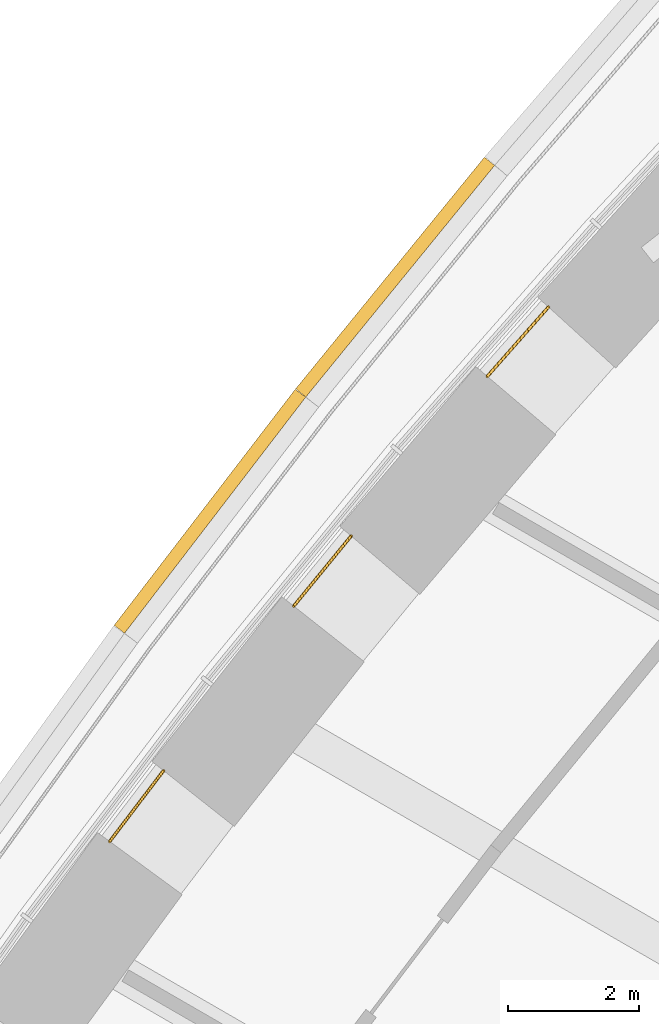
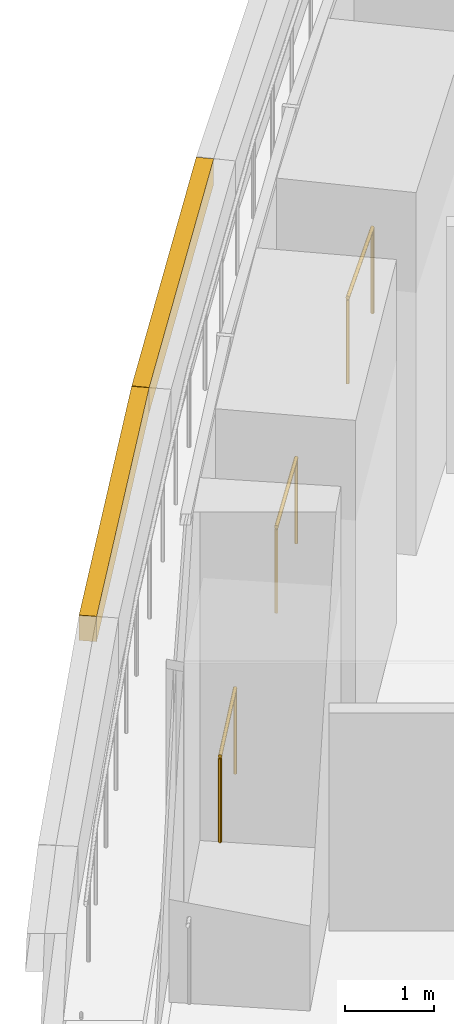
# One storey, part 21 of 33: 3 railings, 2 coverings.
"""IFC4 building model written with IfcOpenShell, lengths in metres."""

import ifcopenshell
import ifcopenshell.guid

model = None  # the IFC model being written
_history = None  # IfcOwnerHistory: only IFC2X3 demands one
_inside = {}  # id of a spatial element -> (the spatial element, [elements in it])
_under = {}  # id of a project, library or spatial element -> (it, [spatial elements below it])
_declared = {}  # id of a project -> (the project, [libraries it declares])
_typed = {}  # id of a type object -> (the type object, [elements of that type])
_made_of = {}  # id of a material, layer set ... -> (it, [elements and type objects made of it])


def new_model(schema):
    """Start an empty IFC model of exactly this schema.

    Asked for "IFC4X3", IfcOpenShell would pick the latest addendum, in which some entities
    have other attributes; the version numbers below select the first issue.
    IFC2X3 requires an IfcOwnerHistory on every rooted entity: one is made here for all.
    """
    global model, _history
    if schema == "IFC4X3":
        model = ifcopenshell.file(schema_version=(4, 3, 0, 0))
    else:
        model = ifcopenshell.file(schema=schema)
    _inside.clear()
    _under.clear()
    _declared.clear()
    _typed.clear()
    _made_of.clear()
    _history = None
    if model.schema == "IFC2X3":
        org = make("IfcOrganization", Name="unknown")
        user = make(
            "IfcPersonAndOrganization",
            ThePerson=make("IfcPerson", FamilyName="unknown"),
            TheOrganization=org,
        )
        app = make(
            "IfcApplication",
            ApplicationDeveloper=org,
            Version="unknown",
            ApplicationFullName="unknown",
            ApplicationIdentifier="unknown",
        )
        _history = make(
            "IfcOwnerHistory",
            OwningUser=user,
            OwningApplication=app,
            ChangeAction="ADDED",
            CreationDate=0,
        )
    return model


def make(cls, **values):
    """One entity of the class cls with the attributes given. An attribute that is None is left unset."""
    return model.create_entity(
        cls, **{name: value for name, value in values.items() if value is not None}
    )


def rooted(cls, **values):
    """An entity with a GlobalId (a new one), such as an element, a storey or a relation."""
    return make(cls, GlobalId=ifcopenshell.guid.new(), OwnerHistory=_history, **values)


def si_unit(unit_type, name, prefix=None):
    """IfcSIUnit, for example si_unit("LENGTHUNIT", "METRE", prefix="MILLI")."""
    return make("IfcSIUnit", UnitType=unit_type, Prefix=prefix, Name=name)


def assignment(units):
    """IfcUnitAssignment: the units of a project."""
    return None if units is None else make("IfcUnitAssignment", Units=units)


def point(xyz):
    """IfcCartesianPoint."""
    return None if xyz is None else make("IfcCartesianPoint", Coordinates=xyz)


def direction(xyz):
    """IfcDirection."""
    return None if xyz is None else make("IfcDirection", DirectionRatios=xyz)


def frame(location, z_axis=None, x_axis=None):
    """IfcAxis2Placement3D, a coordinate frame: its origin and axes. An axis left out is left unset."""
    return make(
        "IfcAxis2Placement3D",
        Location=point(location),
        Axis=direction(z_axis),
        RefDirection=direction(x_axis),
    )


def frame_2d(location, x_axis=None):
    """IfcAxis2Placement2D, a coordinate frame in the plane: its origin and x axis."""
    return make(
        "IfcAxis2Placement2D", Location=point(location), RefDirection=direction(x_axis)
    )


def origin():
    """The frame at (0, 0, 0) with its axes left unset."""
    return frame((0.0, 0.0, 0.0))


def origin_2d():
    """The frame at (0, 0) in the plane with its x axis left unset."""
    return frame_2d((0.0, 0.0))


def place(relative_to, where):
    """IfcLocalPlacement: puts the frame where relative to a parent placement (None: the world)."""
    return make(
        "IfcLocalPlacement", PlacementRelTo=relative_to, RelativePlacement=where
    )


def context(
    kind, dimensions, precision=None, world=None, true_north=None, identifier=None
):
    """IfcGeometricRepresentationContext, for example the 3D "Model" context."""
    return make(
        "IfcGeometricRepresentationContext",
        ContextIdentifier=identifier,
        ContextType=kind,
        CoordinateSpaceDimension=dimensions,
        Precision=precision,
        WorldCoordinateSystem=world,
        TrueNorth=true_north,
    )


def subcontext(parent, identifier, kind, view, scale=None):
    """IfcGeometricRepresentationSubContext, for example "Body" below "Model"."""
    return make(
        "IfcGeometricRepresentationSubContext",
        ContextIdentifier=identifier,
        ContextType=kind,
        ParentContext=parent,
        TargetScale=scale,
        TargetView=view,
    )


def project(units=None, contexts=None):
    """IfcProject with its units and contexts."""
    return rooted(
        "IfcProject",
        Name="project",
        RepresentationContexts=contexts,
        UnitsInContext=assignment(units),
    )


def spatial(cls, under=None, at=None, **own):
    """A site, building, storey or space (cls), placed at a placement, below another one or the project."""
    s = rooted(cls, ObjectPlacement=at, **own)
    if under is not None:
        _under.setdefault(under.id(), (under, []))[1].append(s)
    return s


def profile(cls, at=None, kind="AREA", **sizes):
    """A parametric profile (cls). Its sizes go by their IFC names, for example OverallWidth=200.0."""
    return make(cls, ProfileType=kind, Position=at, **sizes)


def rectangle(**sizes):
    """IfcRectangleProfileDef."""
    return profile("IfcRectangleProfileDef", **sizes)


def circle(**sizes):
    """IfcCircleProfileDef."""
    return profile("IfcCircleProfileDef", **sizes)


def extrude(swept, where, along, depth):
    """IfcExtrudedAreaSolid: the profile swept, set in the frame where, extruded along a direction by depth."""
    return make(
        "IfcExtrudedAreaSolid",
        SweptArea=swept,
        Position=where,
        ExtrudedDirection=direction(along),
        Depth=depth,
    )


def shape(context_of_items, identifier, shape_type, items):
    """IfcShapeRepresentation: the items that make up one representation, for example the "Body"."""
    return make(
        "IfcShapeRepresentation",
        ContextOfItems=context_of_items,
        RepresentationIdentifier=identifier,
        RepresentationType=shape_type,
        Items=items,
    )


def material(Name=None, Category=None):
    """IfcMaterial."""
    return make("IfcMaterial", Name=Name, Category=Category)


def made_of(thing, what):
    """Note that an element or type object is made of a material, layer set ...; save() writes the relation."""
    if what is not None:
        _made_of.setdefault(what.id(), (what, []))[1].append(thing)
    return thing


def type_object(cls, material=None, **own):
    """A type object (cls), such as IfcWallType, which elements share."""
    return made_of(rooted(cls, **own), material)


def element(
    cls,
    number,
    at=None,
    inside=None,
    cuts=None,
    type_object=None,
    material=None,
    context=None,
    identifier="Body",
    shape_type=None,
    held_by="IfcProductDefinitionShape",
    body=None,
    shapes=None,
    **own,
):
    """One element of the class cls, such as IfcWall. Its Tag is "e" and its number.

    at: its placement. inside: the storey or other place that contains it. cuts: it is an
    opening in that element (IfcRelVoidsElement). A single representation is given by context,
    identifier, shape_type and body (its items); several are given by shapes. held_by: the class
    of the entity that holds the representations. save() writes the other relations.
    """
    e = rooted(cls, Tag="e%d" % number, ObjectPlacement=at, **own)
    if body is not None:
        shapes = [shape(context, identifier, shape_type, body)]
    if shapes is not None:
        e.Representation = make(held_by, Representations=shapes)
    if inside is not None:
        _inside.setdefault(inside.id(), (inside, []))[1].append(e)
    if cuts is not None:
        rooted(
            "IfcRelVoidsElement", RelatingBuildingElement=cuts, RelatedOpeningElement=e
        )
    if type_object is not None:
        _typed.setdefault(type_object.id(), (type_object, []))[1].append(e)
    return made_of(e, material)


def aggregate(whole, parts):
    """IfcRelAggregates: a whole, such as a stair, and the parts it consists of."""
    return rooted("IfcRelAggregates", RelatingObject=whole, RelatedObjects=parts)


def save(model, path):
    """Write the relations noted so far, then the file.

    IfcRelAggregates (storeys below a building ...), IfcRelContainedInSpatialStructure (elements
    in a storey), IfcRelDefinesByType, IfcRelAssociatesMaterial and IfcRelDeclares: one each for
    every whole, place, type object, material and project.
    """
    for whole, parts in _under.values():
        aggregate(whole, parts)
    for where, things in _inside.values():
        rooted(
            "IfcRelContainedInSpatialStructure",
            RelatedElements=things,
            RelatingStructure=where,
        )
    for kind, things in _typed.values():
        rooted("IfcRelDefinesByType", RelatedObjects=things, RelatingType=kind)
    for what, things in _made_of.values():
        rooted("IfcRelAssociatesMaterial", RelatedObjects=things, RelatingMaterial=what)
    for by, libraries in _declared.values():
        rooted("IfcRelDeclares", RelatingContext=by, RelatedDefinitions=libraries)
    model.write(path)


model = new_model("IFC4")

# Units and contexts
model_context = context("Model", 3, precision=1e-05, world=origin(), true_north=direction((0.0, 1.0)))
body_context = subcontext(model_context, "Body", "Model", "MODEL_VIEW")
ifc_project = project(units=[si_unit("LENGTHUNIT", "METRE"), si_unit("AREAUNIT", "SQUARE_METRE"), si_unit("VOLUMEUNIT", "CUBIC_METRE"), si_unit("PLANEANGLEUNIT", "RADIAN"), si_unit("MASSUNIT", "GRAM", prefix="KILO")], contexts=[model_context])

# Site, building, storey
site_placement = place(None, origin())
site = spatial("IfcSite", under=ifc_project, at=site_placement, CompositionType="ELEMENT")
building_placement = place(site_placement, origin())
building = spatial("IfcBuilding", under=site, at=building_placement, Name="Trefoil Bronze Tower", CompositionType="ELEMENT")
storey_placement = place(building_placement, frame((0.0, 0.0, 98.10009765625)))
storey = spatial("IfcBuildingStorey", under=building, at=storey_placement, Name="L22", CompositionType="ELEMENT", Elevation=98.10009765625)

# Railings
ifc_material_1 = material(Name="Bronze-finish steel guard rail and posts", Category="steel")
railing_type = type_object("IfcRailingType", Name="Glazing guard 1200", PredefinedType="GUARDRAIL", material=ifc_material_1)
railing_1_placement = place(storey_placement, frame((-7.64697265625, 33.92919921875, 0.0)))
element("IfcRailing", 1, at=railing_1_placement, inside=storey, type_object=railing_type, Name="Glazing guard L22.34", PredefinedType="GUARDRAIL", context=body_context, shape_type="SweptSolid", body=[
    extrude(circle(Radius=0.02392578125, at=origin_2d()), frame((0.0, 0.0, 1.17578125), z_axis=(-0.661707457326, -0.749762122889, 0.0), x_axis=(0.749762122889, -0.661707457326, 0.0)), (0.0, 0.0, 1.0), 1.411376953125),
    extrude(circle(Radius=0.02099609375, at=origin_2d()), origin(), (0.0, 0.0, 1.0), 1.15185546875),
    extrude(circle(Radius=0.02099609375, at=origin_2d()), frame((-0.933837890625, -1.05810546875, 0.0)), (0.0, 0.0, 1.0), 1.15185546875),
])
railing_2_placement = place(storey_placement, frame((-10.6572265625, 30.436279296875, 0.0)))
element("IfcRailing", 2, at=railing_2_placement, inside=storey, type_object=railing_type, Name="Glazing guard L22.35", PredefinedType="GUARDRAIL", context=body_context, shape_type="SweptSolid", body=[
    extrude(circle(Radius=0.02392578125, at=origin_2d()), frame((0.0, 0.0, 1.17578125), z_axis=(-0.633805002069, -0.773492869619, 0.0), x_axis=(0.773492869619, -0.633805002069, 0.0)), (0.0, 0.0, 1.0), 1.382568359375),
    extrude(circle(Radius=0.02099609375, at=origin_2d()), origin(), (0.0, 0.0, 1.0), 1.15185546875),
    extrude(circle(Radius=0.02099609375, at=origin_2d()), frame((-0.876220703125, -1.0693359375, 0.0)), (0.0, 0.0, 1.0), 1.15185546875),
])
railing_3_placement = place(storey_placement, frame((-13.51904296875, 26.857177734375, 0.0)))
element("IfcRailing", 3, at=railing_3_placement, inside=storey, type_object=railing_type, Name="Glazing guard L22.36", PredefinedType="GUARDRAIL", context=body_context, shape_type="SweptSolid", body=[
    extrude(circle(Radius=0.02392578125, at=origin_2d()), frame((0.0, 0.0, 1.17578125), z_axis=(-0.605165317519, -0.796099829464, 0.0), x_axis=(0.796099829464, -0.605165317519, 0.0)), (0.0, 0.0, 1.0), 1.35791015625),
    extrude(circle(Radius=0.02099609375, at=origin_2d()), origin(), (0.0, 0.0, 1.0), 1.15185546875),
    extrude(circle(Radius=0.02099609375, at=origin_2d()), frame((-0.82177734375, -1.0810546875, 0.0)), (0.0, 0.0, 1.0), 1.15185546875),
])

# Coverings
ifc_material_2 = material(Name="Stepped bronze-finish aluminium cornice", Category="aluminium")
covering_type = type_object("IfcCoveringType", Name="Setback cornice 350x200", PredefinedType="MOLDING", material=ifc_material_2)
covering_1_placement = place(storey_placement, frame((-9.986328125, 34.3857421875, 0.749755859375), z_axis=(0.0, 0.0, 1.0), x_axis=(-0.631810729566, -0.775122701258, 0.0)))
element("IfcCovering", 4, at=covering_1_placement, inside=storey, type_object=covering_type, Name="Setback cornice L22.40", PredefinedType="MOLDING", context=body_context, shape_type="SweptSolid", body=[
    extrude(rectangle(XDim=4.558349609375, YDim=0.199951171875, at=origin_2d()), origin(), (0.0, 0.0, 1.0), 0.35009765625),
])
covering_2_placement = place(storey_placement, frame((-12.81201171875, 30.813720703125, 0.749755859375), z_axis=(0.0, 0.0, 1.0), x_axis=(-0.608807670727, -0.793317855632, 0.0)))
element("IfcCovering", 5, at=covering_2_placement, inside=storey, type_object=covering_type, Name="Setback cornice L22.41", PredefinedType="MOLDING", context=body_context, shape_type="SweptSolid", body=[
    extrude(rectangle(XDim=4.538818359375, YDim=0.199951171875, at=origin_2d()), origin(), (0.0, 0.0, 1.0), 0.35009765625),
])

save(model, "model.ifc")
